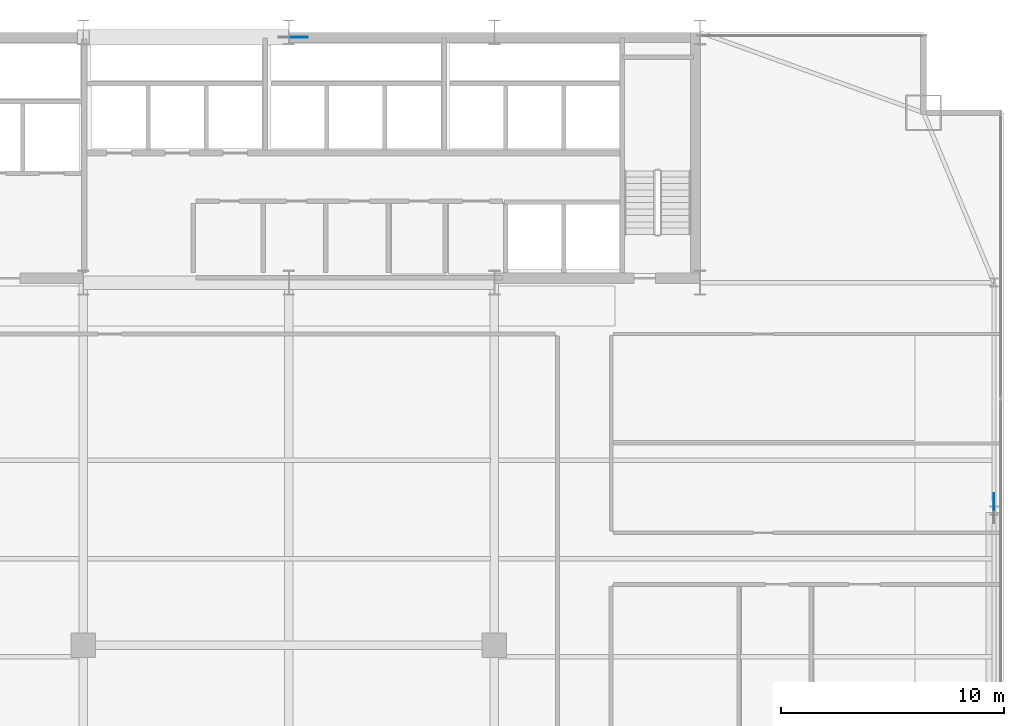
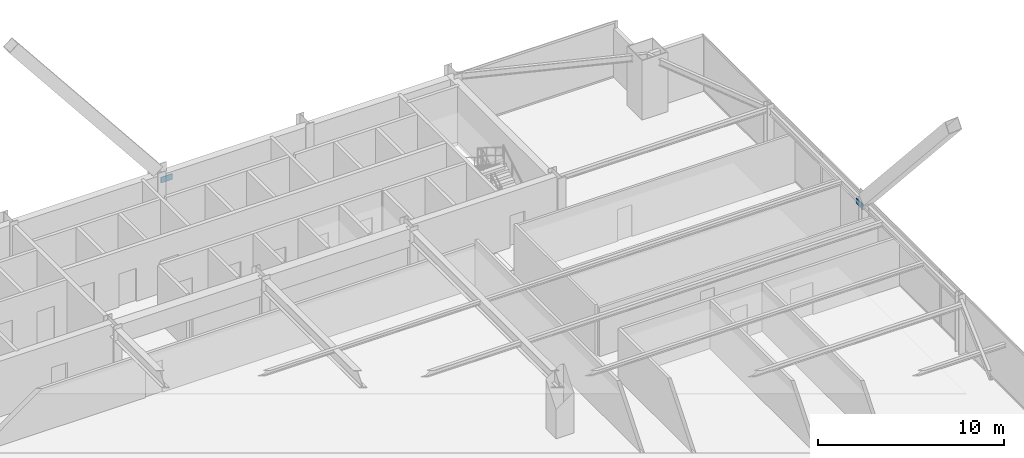
# One storey, part 30 of 35: 2 plates.
"""IFC4 building model written with IfcOpenShell, lengths in metres."""

from ifc_helpers import new_model, si_unit, direction, frame, origin, origin_2d, place, context, subcontext, project, spatial, rectangle, extrude, source, transform, mapped, material, layer, layer_set, type_object, type_shapes, element, save


model = new_model("IFC4")

# Units and contexts
model_context = context("Model", 3, precision=1e-05, world=origin(), true_north=direction((0.0, 1.0)))
body_context = subcontext(model_context, "Body", "Model", "MODEL_VIEW")
ifc_project = project(units=[si_unit("LENGTHUNIT", "METRE"), si_unit("AREAUNIT", "SQUARE_METRE"), si_unit("VOLUMEUNIT", "CUBIC_METRE"), si_unit("PLANEANGLEUNIT", "RADIAN"), si_unit("MASSUNIT", "GRAM", prefix="KILO")], contexts=[model_context])

# Site, building, storey
site_placement = place(None, origin())
site = spatial("IfcSite", under=ifc_project, at=site_placement, CompositionType="ELEMENT")
building_placement = place(site_placement, origin())
building = spatial("IfcBuilding", under=site, at=building_placement, Name="Varnel Quay Broadcast Tower", CompositionType="ELEMENT")
storey_placement = place(building_placement, frame((0.0, 0.0, 66.60009765625)))
storey = spatial("IfcBuildingStorey", under=building, at=storey_placement, Name="L15", CompositionType="ELEMENT", Elevation=66.60009765625)

# Plates
ifc_material = material(Name="Structural Steel CSA G40.21 350WT", Category="steel")
ifc_layer = layer(ifc_material, 0.031982421875, Name="Structural Steel CSA G40.21 350WT")
ifc_layer_set = layer_set([ifc_layer], Name="Structural Steel CSA G40.21 350WT")
plate_type = type_object("IfcPlateType", Name="Plate_EndCap", PredefinedType="USERDEFINED", material=ifc_layer_set)
shared_shape = source(origin(), body_context, "Body", "SweptSolid", [
    extrude(rectangle(XDim=0.719970703125, YDim=0.031982421875, at=origin_2d()), origin(), (0.0, 0.0, 1.0), 0.3798828125),
])
type_shapes(plate_type, [shared_shape])
for number, where, z_axis, x_axis, name in (
    (1, (34.476806640625, 46.580078125, 2.953125), (0.0, 0.0, 1.0), (1.0, 0.0, 0.0), "Zone 1 Mega-Brace N-CT3 Diag B1 End Connection Plate P1"),
    (2, (65.550048828125, 25.8046875, 2.9853515625), (0.0, 0.0, 1.0), (0.0, 1.0, 0.0), "Zone 1 Mega-Brace E-FT3 Diag B1 End Connection Plate P1"),
):
    element("IfcPlate", number, at=place(storey_placement, frame(where, z_axis=z_axis, x_axis=x_axis)), inside=storey, type_object=plate_type, Name=name, ObjectType="CAP_PLATE", PredefinedType="USERDEFINED", context=body_context, shape_type="MappedRepresentation", body=[
        mapped(shared_shape, transform((0.0, 0.0, 0.0), x_axis=(1.0, 0.0, 0.0), y_axis=(0.0, 1.0, 0.0), z_axis=(0.0, 0.0, 1.0), scale=1.0)),
    ])

save(model, "model.ifc")
